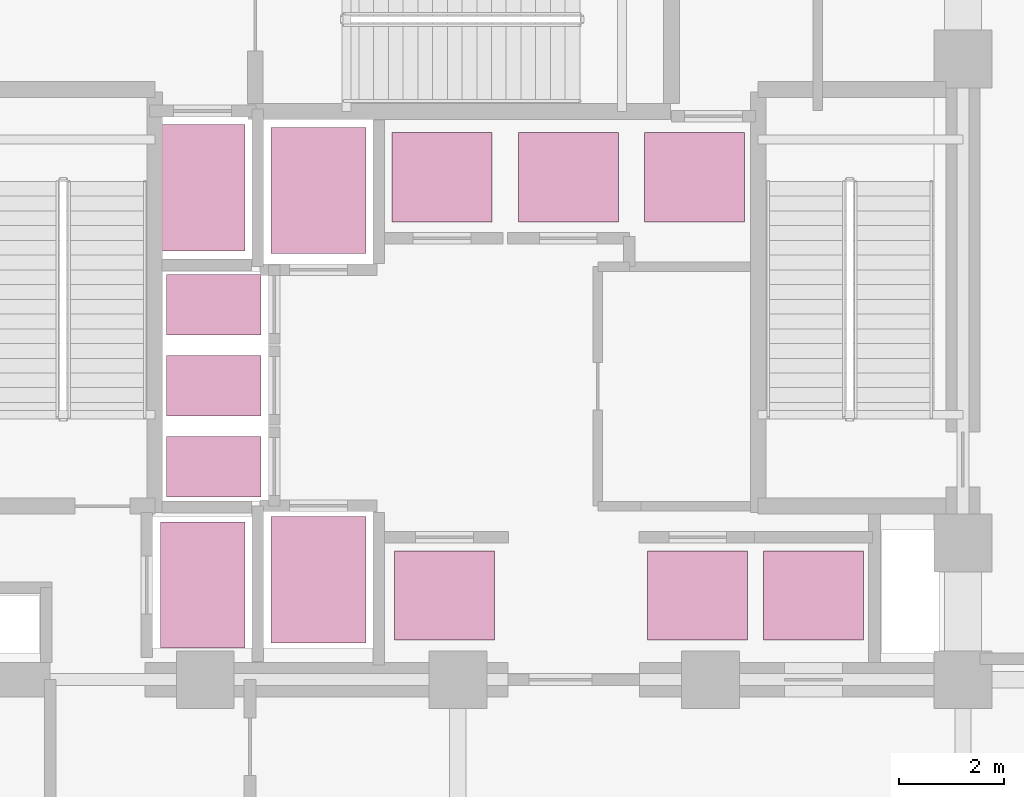
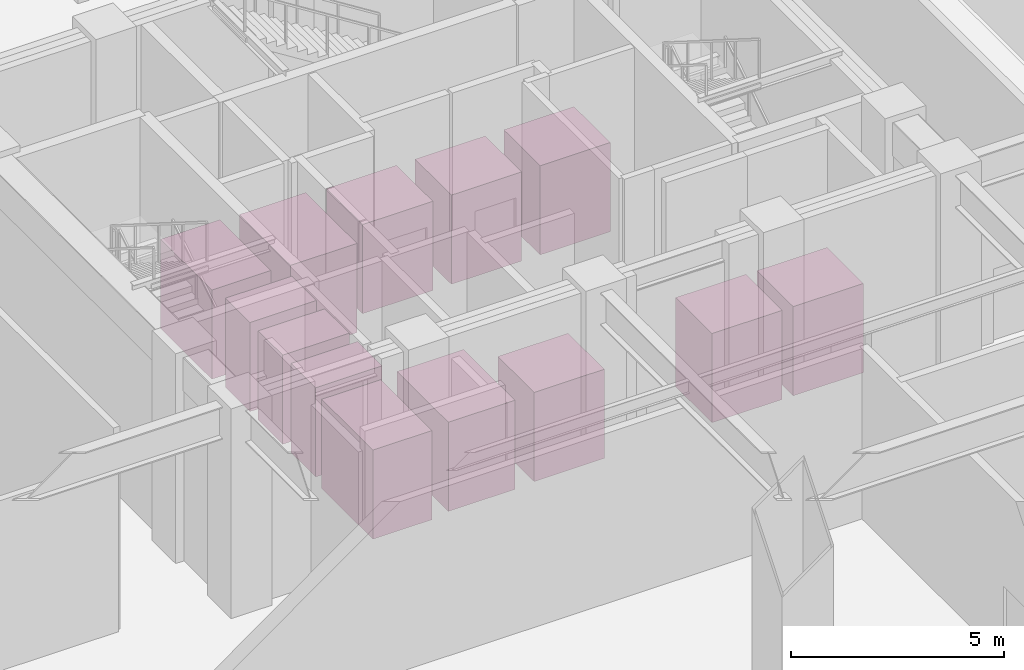
# One storey, part 23 of 23: 13 transport elements.
"""IFC4 building model written with IfcOpenShell, lengths in metres."""

from ifc_helpers import new_model, si_unit, direction, frame, origin, origin_2d, place, context, subcontext, project, spatial, rectangle, extrude, material, type_object, element, save


model = new_model("IFC4")

# Units and contexts
model_context = context("Model", 3, precision=1e-05, world=origin(), true_north=direction((0.0, 1.0)))
body_context = subcontext(model_context, "Body", "Model", "MODEL_VIEW")
ifc_project = project(units=[si_unit("LENGTHUNIT", "METRE"), si_unit("AREAUNIT", "SQUARE_METRE"), si_unit("VOLUMEUNIT", "CUBIC_METRE"), si_unit("PLANEANGLEUNIT", "RADIAN"), si_unit("MASSUNIT", "GRAM", prefix="KILO")], contexts=[model_context])

# Site, building, storey
site_placement = place(None, origin())
site = spatial("IfcSite", under=ifc_project, at=site_placement, CompositionType="ELEMENT")
building_placement = place(site_placement, origin())
building = spatial("IfcBuilding", under=site, at=building_placement, Name="Vantalir Tower", CompositionType="ELEMENT")
storey_placement = place(building_placement, origin())
storey = spatial("IfcBuildingStorey", under=building, at=storey_placement, Name="L00", CompositionType="ELEMENT", Elevation=0.0)

# Transport elements
ifc_material_1 = material(Name="Fire-rated stainless steel stretcher firefighting lift car", Category="steel")
transport_element_type_1 = type_object("IfcTransportElementType", Name="TRN-FIRE-LIFT-1800", PredefinedType="ELEVATOR", material=ifc_material_1)
for number, where, z_axis, x_axis, name in (
    (1, (26.64990234375, 19.60009765625, 0.0), (0.0, 0.0, 1.0), (1.0, 0.0, 0.0), "Firefighting Lift FL1"),
    (2, (26.64990234375, 27.14990234375, 0.0), (0.0, 0.0, 1.0), (1.0, 0.0, 0.0), "Firefighting Lift FL2"),
):
    element("IfcTransportElement", number, at=place(storey_placement, frame(where, z_axis=z_axis, x_axis=x_axis)), inside=storey, type_object=transport_element_type_1, Name=name, PredefinedType="ELEVATOR", context=body_context, shape_type="SweptSolid", body=[
        extrude(rectangle(XDim=1.60009765625, YDim=2.39990234375, at=origin_2d()), origin(), (0.0, 0.0, 1.0), 2.550048828125),
    ])
ifc_material_2 = material(Name="Glazed champagne-silver express shuttle lift car", Category="steel")
transport_element_type_2 = type_object("IfcTransportElementType", Name="TRN-OBS-SHUTTLE-1800", PredefinedType="ELEVATOR", material=ifc_material_2)
for number, where, z_axis, x_axis, name in (
    (3, (31.25, 19.39990234375, 0.0), (0.0, 0.0, 1.0), (1.0, 0.0, 0.0), "Express Observation Shuttle Lift PL-X1"),
    (4, (38.260009765625, 19.39990234375, 0.0), (0.0, 0.0, 1.0), (1.0, 0.0, 0.0), "Express Observation Shuttle Lift PL-X2"),
    (5, (36.06005859375, 19.39990234375, 0.0), (0.0, 0.0, 1.0), (1.0, 0.0, 0.0), "Express Observation Shuttle Lift PL-X3"),
):
    element("IfcTransportElement", number, at=place(storey_placement, frame(where, z_axis=z_axis, x_axis=x_axis)), inside=storey, type_object=transport_element_type_2, Name=name, PredefinedType="ELEVATOR", context=body_context, shape_type="SweptSolid", body=[
        extrude(rectangle(XDim=1.89990234375, YDim=1.699951171875, at=origin_2d()), origin(), (0.0, 0.0, 1.0), 2.550048828125),
    ])
ifc_material_3 = material(Name="Brushed stainless steel passenger lift car", Category="steel")
transport_element_type_3 = type_object("IfcTransportElementType", Name="TRN-PASS-LIFT-1600", PredefinedType="ELEVATOR", material=ifc_material_3)
for number, where, z_axis, x_axis, name in (
    (6, (31.199951171875, 27.35009765625, 0.0), (0.0, 0.0, 1.0), (1.0, 0.0, 0.0), "Hotel Passenger Lift PL-H1"),
    (7, (33.60009765625, 27.35009765625, 0.0), (0.0, 0.0, 1.0), (1.0, 0.0, 0.0), "Hotel Passenger Lift PL-H2"),
    (8, (36.0, 27.35009765625, 0.0), (0.0, 0.0, 1.0), (1.0, 0.0, 0.0), "Hotel Passenger Lift PL-H3"),
):
    element("IfcTransportElement", number, at=place(storey_placement, frame(where, z_axis=z_axis, x_axis=x_axis)), inside=storey, type_object=transport_element_type_3, Name=name, PredefinedType="ELEVATOR", context=body_context, shape_type="SweptSolid", body=[
        extrude(rectangle(XDim=1.89990234375, YDim=1.699951171875, at=origin_2d()), origin(), (0.0, 0.0, 1.0), 2.550048828125),
    ])
for number, where, z_axis, x_axis, name in (
    (9, (26.860107421875, 21.85009765625, 0.0), (0.0, 0.0, 1.0), (1.0, 0.0, 0.0), "Hotel Passenger Lift PL-L1"),
    (10, (26.860107421875, 23.389892578125, 0.0), (0.0, 0.0, 1.0), (1.0, 0.0, 0.0), "Hotel Passenger Lift PL-L2"),
    (11, (26.860107421875, 24.929931640625, 0.0), (0.0, 0.0, 1.0), (1.0, 0.0, 0.0), "Hotel Passenger Lift PL-L3"),
):
    element("IfcTransportElement", number, at=place(storey_placement, frame(where, z_axis=z_axis, x_axis=x_axis)), inside=storey, type_object=transport_element_type_3, Name=name, PredefinedType="ELEVATOR", context=body_context, shape_type="SweptSolid", body=[
        extrude(rectangle(XDim=1.800048828125, YDim=1.14990234375, at=origin_2d()), origin(), (0.0, 0.0, 1.0), 2.550048828125),
    ])
ifc_material_4 = material(Name="Heavy-duty stainless steel service lift car", Category="steel")
transport_element_type_4 = type_object("IfcTransportElementType", Name="TRN-SERVICE-LIFT-2000", PredefinedType="ELEVATOR", material=ifc_material_4)
for number, where, z_axis, x_axis, name in (
    (12, (28.85009765625, 19.699951171875, 0.0), (0.0, 0.0, 1.0), (1.0, 0.0, 0.0), "Service Goods Lift SV1"),
    (13, (28.85009765625, 27.10009765625, 0.0), (0.0, 0.0, 1.0), (1.0, 0.0, 0.0), "Service Goods Lift SV2"),
):
    element("IfcTransportElement", number, at=place(storey_placement, frame(where, z_axis=z_axis, x_axis=x_axis)), inside=storey, type_object=transport_element_type_4, Name=name, PredefinedType="ELEVATOR", context=body_context, shape_type="SweptSolid", body=[
        extrude(rectangle(XDim=1.800048828125, YDim=2.39990234375, at=origin_2d()), origin(), (0.0, 0.0, 1.0), 2.550048828125),
    ])

save(model, "model.ifc")
